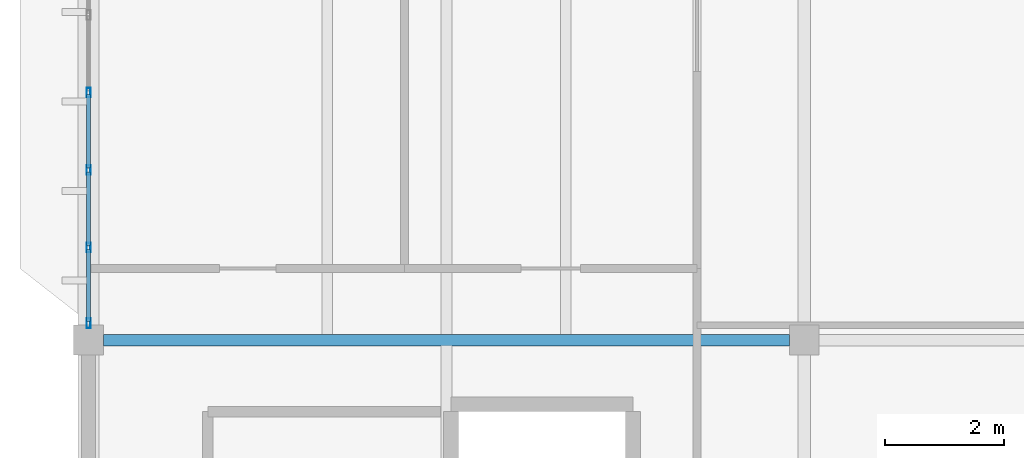
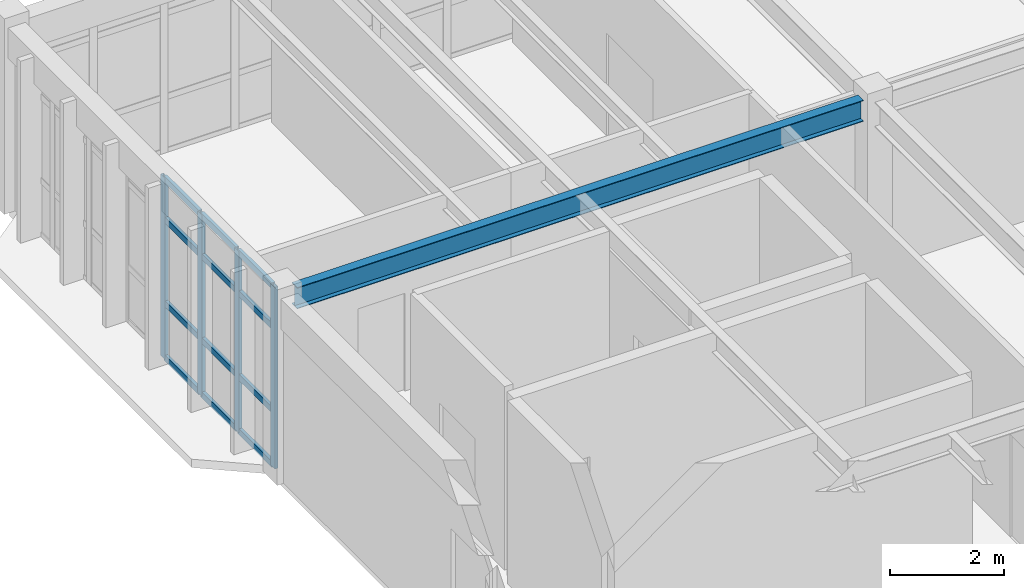
# One storey, part 15 of 83: 16 members, 1 beam, 1 element without a shape of its own.
"""IFC4 building model written with IfcOpenShell, lengths in metres."""

from ifc_helpers import new_model, si_unit, direction, frame, origin, origin_2d, place, context, subcontext, project, spatial, hollow_rectangle, i_section, extrude, material, layer, layer_set, material_profile, profile_set, type_object, element, aggregate, save


model = new_model("IFC4")

# Units and contexts
model_context = context("Model", 3, precision=1e-05, world=origin(), true_north=direction((0.0, 1.0)))
body_context = subcontext(model_context, "Body", "Model", "MODEL_VIEW")
ifc_project = project(units=[si_unit("LENGTHUNIT", "METRE"), si_unit("AREAUNIT", "SQUARE_METRE"), si_unit("VOLUMEUNIT", "CUBIC_METRE"), si_unit("PLANEANGLEUNIT", "RADIAN"), si_unit("MASSUNIT", "GRAM", prefix="KILO")], contexts=[model_context])

# Site, building, storey
site_placement = place(None, origin())
site = spatial("IfcSite", under=ifc_project, at=site_placement, CompositionType="ELEMENT")
building_placement = place(site_placement, origin())
building = spatial("IfcBuilding", under=site, at=building_placement, Name="Pandanus Reach Market Hall", CompositionType="ELEMENT")
storey_placement = place(building_placement, frame((0.0, 0.0, 10.199951171875)))
storey = spatial("IfcBuildingStorey", under=building, at=storey_placement, Name="L02", CompositionType="ELEMENT", Elevation=10.199951171875)

# Beam
ifc_material_1 = material(Name="Steel Grade 350 (350 MPa)", Category="steel")
ifc_material_profile_1 = material_profile(ifc_material_1, i_section(OverallWidth=0.18994140625, OverallDepth=0.45703125, WebThickness=0.009033203125, FlangeThickness=0.014404296875, at=origin_2d()), Name="460UB74.6", Category="LoadBearing")
ifc_profile_set_1 = profile_set([ifc_material_profile_1], Name="Steel Grade 350 (350 MPa)")
beam_type = type_object("IfcBeamType", Name="BM-UB460-I", PredefinedType="BEAM", material=ifc_profile_set_1)
beam_placement = place(storey_placement, frame((0.248046875, 19.199951171875, 3.751220703125), z_axis=(1.0, 0.0, 0.0), x_axis=(0.0, 1.0, 0.0)))
element("IfcBeam", 1, at=beam_placement, inside=storey, type_object=beam_type, Name="Framing beam BM-UB460-I L02.1015", PredefinedType="BEAM", context=body_context, shape_type="SweptSolid", body=[
    extrude(i_section(OverallWidth=0.18994140625, OverallDepth=0.45703125, WebThickness=0.009033203125, FlangeThickness=0.014404296875, at=origin_2d()), origin(), (0.0, 0.0, 1.0), 11.50390625),
])

# Curtain wall, members
ifc_material_2 = material(Name="Bronze anodised aluminium and low-E glass", Category="aluminium")
ifc_layer = layer(ifc_material_2, 0.159912109375, Name="CW-23")
ifc_layer_set = layer_set([ifc_layer], Name="Bronze anodised aluminium and low-E glass")
curtain_wall_type = type_object("IfcCurtainWallType", Name="CW-23", PredefinedType="NOTDEFINED", material=ifc_layer_set)
curtain_wall_placement = place(storey_placement, origin())
curtain_wall = element("IfcCurtainWall", 2, at=curtain_wall_placement, inside=storey, type_object=curtain_wall_type, Name="Glazed curtain wall CW-23 CW-0067", PredefinedType="NOTDEFINED")
ifc_material_3 = material(Name="Bronze anodised aluminium", Category="aluminium")
ifc_material_profile_2 = material_profile(ifc_material_3, hollow_rectangle(XDim=0.06494140625, YDim=0.159912109375, WallThickness=0.00390625, at=origin_2d()), Name="ALU65x160", Category="LoadBearing")
ifc_profile_set_2 = profile_set([ifc_material_profile_2], Name="Bronze anodised aluminium")
member_type_1 = type_object("IfcMemberType", Name="CW-M1", PredefinedType="MULLION", material=ifc_profile_set_2)
member_1_placement = place(storey_placement, frame((0.0, 19.482421875, 0.0), z_axis=(0.0, 0.0, 1.0), x_axis=(-1.0, 0.0, 0.0)))
member_1 = element("IfcMember", 3, at=member_1_placement, type_object=member_type_1, Name="CW-23 mullion 1", PredefinedType="MULLION", context=body_context, shape_type="SweptSolid", body=[
    extrude(hollow_rectangle(XDim=0.06494140625, YDim=0.159912109375, WallThickness=0.00390625, at=origin_2d()), origin(), (0.0, 0.0, 1.0), 3.900146484375),
])
member_2_placement = place(storey_placement, frame((0.0, 20.75, 0.0), z_axis=(0.0, 0.0, 1.0), x_axis=(-1.0, 0.0, 0.0)))
member_2 = element("IfcMember", 4, at=member_2_placement, type_object=member_type_1, Name="CW-23 mullion 2", PredefinedType="MULLION", context=body_context, shape_type="SweptSolid", body=[
    extrude(hollow_rectangle(XDim=0.06494140625, YDim=0.159912109375, WallThickness=0.00390625, at=origin_2d()), origin(), (0.0, 0.0, 1.0), 3.900146484375),
])
member_3_placement = place(storey_placement, frame((0.0, 22.050048828125, 0.0), z_axis=(0.0, 0.0, 1.0), x_axis=(-1.0, 0.0, 0.0)))
member_3 = element("IfcMember", 5, at=member_3_placement, type_object=member_type_1, Name="CW-23 mullion 3", PredefinedType="MULLION", context=body_context, shape_type="SweptSolid", body=[
    extrude(hollow_rectangle(XDim=0.06494140625, YDim=0.159912109375, WallThickness=0.00390625, at=origin_2d()), origin(), (0.0, 0.0, 1.0), 3.900146484375),
])
member_4_placement = place(storey_placement, frame((0.0, 23.35009765625, 0.0), z_axis=(0.0, 0.0, 1.0), x_axis=(-1.0, 0.0, 0.0)))
member_4 = element("IfcMember", 6, at=member_4_placement, type_object=member_type_1, Name="CW-23 mullion 4", PredefinedType="MULLION", context=body_context, shape_type="SweptSolid", body=[
    extrude(hollow_rectangle(XDim=0.06494140625, YDim=0.159912109375, WallThickness=0.00390625, at=origin_2d()), origin(), (0.0, 0.0, 1.0), 3.900146484375),
])
ifc_material_profile_3 = material_profile(ifc_material_3, hollow_rectangle(XDim=0.06494140625, YDim=0.1298828125, WallThickness=0.00390625, at=origin_2d()), Name="ALU65x130", Category="LoadBearing")
ifc_profile_set_3 = profile_set([ifc_material_profile_3], Name="Bronze anodised aluminium")
member_type_2 = type_object("IfcMemberType", Name="CW-T1", PredefinedType="USERDEFINED", material=ifc_profile_set_3)
member_5_placement = place(storey_placement, frame((0.0, 19.514892578125, 0.032470703125), z_axis=(0.0, 1.0, 0.0), x_axis=(-1.0, 0.0, 0.0)))
member_5 = element("IfcMember", 7, at=member_5_placement, type_object=member_type_2, Name="CW-23 transom 1.1", ObjectType="TRANSOM", PredefinedType="USERDEFINED", context=body_context, shape_type="SweptSolid", body=[
    extrude(hollow_rectangle(XDim=0.06494140625, YDim=0.1298828125, WallThickness=0.00390625, at=origin_2d()), origin(), (0.0, 0.0, 1.0), 1.20263671875),
])
member_6_placement = place(storey_placement, frame((0.0, 19.514892578125, 1.199951171875), z_axis=(0.0, 1.0, 0.0), x_axis=(-1.0, 0.0, 0.0)))
member_6 = element("IfcMember", 8, at=member_6_placement, type_object=member_type_2, Name="CW-23 transom 1.2", ObjectType="TRANSOM", PredefinedType="USERDEFINED", context=body_context, shape_type="SweptSolid", body=[
    extrude(hollow_rectangle(XDim=0.06494140625, YDim=0.1298828125, WallThickness=0.00390625, at=origin_2d()), origin(), (0.0, 0.0, 1.0), 1.20263671875),
])
member_7_placement = place(storey_placement, frame((0.0, 19.514892578125, 3.0), z_axis=(0.0, 1.0, 0.0), x_axis=(-1.0, 0.0, 0.0)))
member_7 = element("IfcMember", 9, at=member_7_placement, type_object=member_type_2, Name="CW-23 transom 1.3", ObjectType="TRANSOM", PredefinedType="USERDEFINED", context=body_context, shape_type="SweptSolid", body=[
    extrude(hollow_rectangle(XDim=0.06494140625, YDim=0.1298828125, WallThickness=0.00390625, at=origin_2d()), origin(), (0.0, 0.0, 1.0), 1.20263671875),
])
member_8_placement = place(storey_placement, frame((0.0, 19.514892578125, 3.867431640625), z_axis=(0.0, 1.0, 0.0), x_axis=(-1.0, 0.0, 0.0)))
member_8 = element("IfcMember", 10, at=member_8_placement, type_object=member_type_2, Name="CW-23 transom 1.4", ObjectType="TRANSOM", PredefinedType="USERDEFINED", context=body_context, shape_type="SweptSolid", body=[
    extrude(hollow_rectangle(XDim=0.06494140625, YDim=0.1298828125, WallThickness=0.00390625, at=origin_2d()), origin(), (0.0, 0.0, 1.0), 1.20263671875),
])
member_9_placement = place(storey_placement, frame((0.0, 20.782470703125, 0.032470703125), z_axis=(0.0, 1.0, 0.0), x_axis=(-1.0, 0.0, 0.0)))
member_9 = element("IfcMember", 11, at=member_9_placement, type_object=member_type_2, Name="CW-23 transom 2.1", ObjectType="TRANSOM", PredefinedType="USERDEFINED", context=body_context, shape_type="SweptSolid", body=[
    extrude(hollow_rectangle(XDim=0.06494140625, YDim=0.1298828125, WallThickness=0.00390625, at=origin_2d()), origin(), (0.0, 0.0, 1.0), 1.235107421875),
])
member_10_placement = place(storey_placement, frame((0.0, 20.782470703125, 1.199951171875), z_axis=(0.0, 1.0, 0.0), x_axis=(-1.0, 0.0, 0.0)))
member_10 = element("IfcMember", 12, at=member_10_placement, type_object=member_type_2, Name="CW-23 transom 2.2", ObjectType="TRANSOM", PredefinedType="USERDEFINED", context=body_context, shape_type="SweptSolid", body=[
    extrude(hollow_rectangle(XDim=0.06494140625, YDim=0.1298828125, WallThickness=0.00390625, at=origin_2d()), origin(), (0.0, 0.0, 1.0), 1.235107421875),
])
member_11_placement = place(storey_placement, frame((0.0, 20.782470703125, 3.0), z_axis=(0.0, 1.0, 0.0), x_axis=(-1.0, 0.0, 0.0)))
member_11 = element("IfcMember", 13, at=member_11_placement, type_object=member_type_2, Name="CW-23 transom 2.3", ObjectType="TRANSOM", PredefinedType="USERDEFINED", context=body_context, shape_type="SweptSolid", body=[
    extrude(hollow_rectangle(XDim=0.06494140625, YDim=0.1298828125, WallThickness=0.00390625, at=origin_2d()), origin(), (0.0, 0.0, 1.0), 1.235107421875),
])
member_12_placement = place(storey_placement, frame((0.0, 20.782470703125, 3.867431640625), z_axis=(0.0, 1.0, 0.0), x_axis=(-1.0, 0.0, 0.0)))
member_12 = element("IfcMember", 14, at=member_12_placement, type_object=member_type_2, Name="CW-23 transom 2.4", ObjectType="TRANSOM", PredefinedType="USERDEFINED", context=body_context, shape_type="SweptSolid", body=[
    extrude(hollow_rectangle(XDim=0.06494140625, YDim=0.1298828125, WallThickness=0.00390625, at=origin_2d()), origin(), (0.0, 0.0, 1.0), 1.235107421875),
])
member_13_placement = place(storey_placement, frame((0.0, 22.08251953125, 0.032470703125), z_axis=(0.0, 1.0, 0.0), x_axis=(-1.0, 0.0, 0.0)))
member_13 = element("IfcMember", 15, at=member_13_placement, type_object=member_type_2, Name="CW-23 transom 3.1", ObjectType="TRANSOM", PredefinedType="USERDEFINED", context=body_context, shape_type="SweptSolid", body=[
    extrude(hollow_rectangle(XDim=0.06494140625, YDim=0.1298828125, WallThickness=0.00390625, at=origin_2d()), origin(), (0.0, 0.0, 1.0), 1.23486328125),
])
member_14_placement = place(storey_placement, frame((0.0, 22.08251953125, 1.199951171875), z_axis=(0.0, 1.0, 0.0), x_axis=(-1.0, 0.0, 0.0)))
member_14 = element("IfcMember", 16, at=member_14_placement, type_object=member_type_2, Name="CW-23 transom 3.2", ObjectType="TRANSOM", PredefinedType="USERDEFINED", context=body_context, shape_type="SweptSolid", body=[
    extrude(hollow_rectangle(XDim=0.06494140625, YDim=0.1298828125, WallThickness=0.00390625, at=origin_2d()), origin(), (0.0, 0.0, 1.0), 1.23486328125),
])
member_15_placement = place(storey_placement, frame((0.0, 22.08251953125, 3.0), z_axis=(0.0, 1.0, 0.0), x_axis=(-1.0, 0.0, 0.0)))
member_15 = element("IfcMember", 17, at=member_15_placement, type_object=member_type_2, Name="CW-23 transom 3.3", ObjectType="TRANSOM", PredefinedType="USERDEFINED", context=body_context, shape_type="SweptSolid", body=[
    extrude(hollow_rectangle(XDim=0.06494140625, YDim=0.1298828125, WallThickness=0.00390625, at=origin_2d()), origin(), (0.0, 0.0, 1.0), 1.23486328125),
])
member_16_placement = place(storey_placement, frame((0.0, 22.08251953125, 3.867431640625), z_axis=(0.0, 1.0, 0.0), x_axis=(-1.0, 0.0, 0.0)))
member_16 = element("IfcMember", 18, at=member_16_placement, type_object=member_type_2, Name="CW-23 transom 3.4", ObjectType="TRANSOM", PredefinedType="USERDEFINED", context=body_context, shape_type="SweptSolid", body=[
    extrude(hollow_rectangle(XDim=0.06494140625, YDim=0.1298828125, WallThickness=0.00390625, at=origin_2d()), origin(), (0.0, 0.0, 1.0), 1.23486328125),
])
aggregate(curtain_wall, [member_1, member_2, member_3, member_4, member_5, member_6, member_7, member_8, member_9, member_10, member_11, member_12, member_13, member_14, member_15, member_16])

save(model, "model.ifc")
